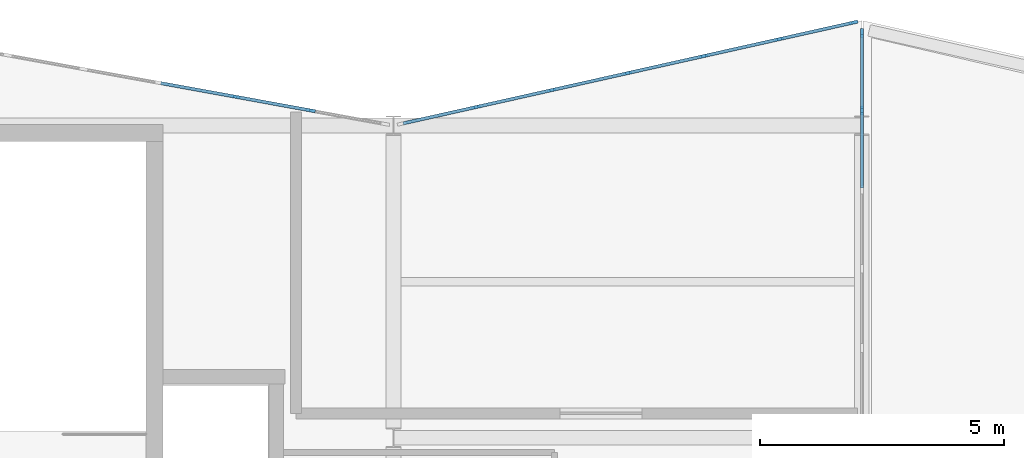
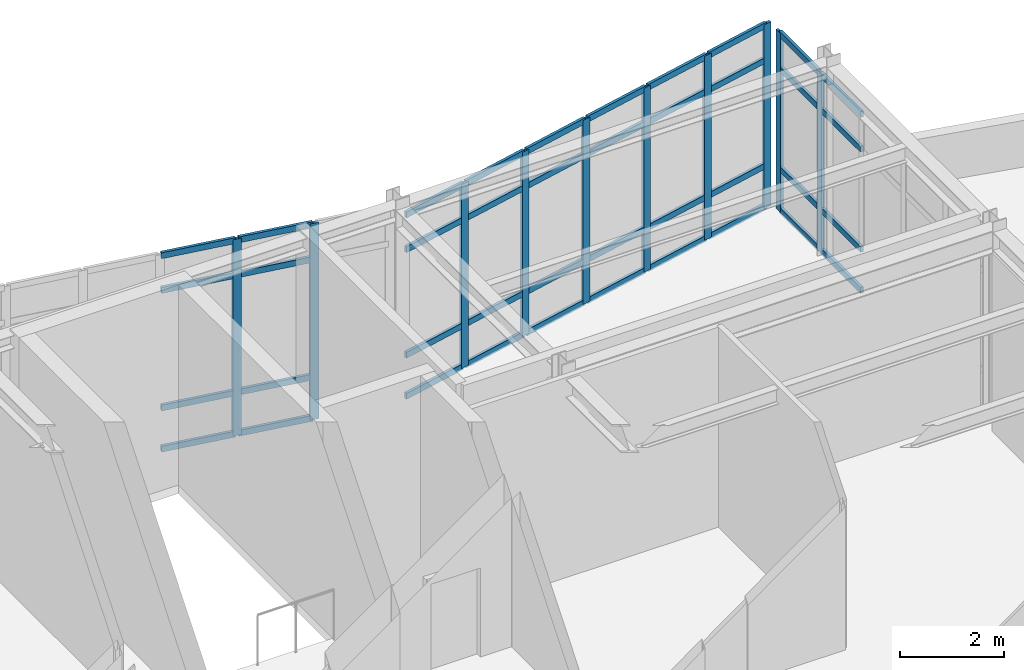
# One storey, part 15 of 28: 50 members, 3 elements without a shape of their own.
"""IFC4 building model written with IfcOpenShell, lengths in metres."""

import ifcopenshell
import ifcopenshell.guid

model = None  # the IFC model being written
_history = None  # IfcOwnerHistory: only IFC2X3 demands one
_inside = {}  # id of a spatial element -> (the spatial element, [elements in it])
_under = {}  # id of a project, library or spatial element -> (it, [spatial elements below it])
_declared = {}  # id of a project -> (the project, [libraries it declares])
_typed = {}  # id of a type object -> (the type object, [elements of that type])
_made_of = {}  # id of a material, layer set ... -> (it, [elements and type objects made of it])


def new_model(schema):
    """Start an empty IFC model of exactly this schema.

    Asked for "IFC4X3", IfcOpenShell would pick the latest addendum, in which some entities
    have other attributes; the version numbers below select the first issue.
    IFC2X3 requires an IfcOwnerHistory on every rooted entity: one is made here for all.
    """
    global model, _history
    if schema == "IFC4X3":
        model = ifcopenshell.file(schema_version=(4, 3, 0, 0))
    else:
        model = ifcopenshell.file(schema=schema)
    _inside.clear()
    _under.clear()
    _declared.clear()
    _typed.clear()
    _made_of.clear()
    _history = None
    if model.schema == "IFC2X3":
        org = make("IfcOrganization", Name="unknown")
        user = make(
            "IfcPersonAndOrganization",
            ThePerson=make("IfcPerson", FamilyName="unknown"),
            TheOrganization=org,
        )
        app = make(
            "IfcApplication",
            ApplicationDeveloper=org,
            Version="unknown",
            ApplicationFullName="unknown",
            ApplicationIdentifier="unknown",
        )
        _history = make(
            "IfcOwnerHistory",
            OwningUser=user,
            OwningApplication=app,
            ChangeAction="ADDED",
            CreationDate=0,
        )
    return model


def make(cls, **values):
    """One entity of the class cls with the attributes given. An attribute that is None is left unset."""
    return model.create_entity(
        cls, **{name: value for name, value in values.items() if value is not None}
    )


def rooted(cls, **values):
    """An entity with a GlobalId (a new one), such as an element, a storey or a relation."""
    return make(cls, GlobalId=ifcopenshell.guid.new(), OwnerHistory=_history, **values)


def si_unit(unit_type, name, prefix=None):
    """IfcSIUnit, for example si_unit("LENGTHUNIT", "METRE", prefix="MILLI")."""
    return make("IfcSIUnit", UnitType=unit_type, Prefix=prefix, Name=name)


def assignment(units):
    """IfcUnitAssignment: the units of a project."""
    return None if units is None else make("IfcUnitAssignment", Units=units)


def point(xyz):
    """IfcCartesianPoint."""
    return None if xyz is None else make("IfcCartesianPoint", Coordinates=xyz)


def direction(xyz):
    """IfcDirection."""
    return None if xyz is None else make("IfcDirection", DirectionRatios=xyz)


def frame(location, z_axis=None, x_axis=None):
    """IfcAxis2Placement3D, a coordinate frame: its origin and axes. An axis left out is left unset."""
    return make(
        "IfcAxis2Placement3D",
        Location=point(location),
        Axis=direction(z_axis),
        RefDirection=direction(x_axis),
    )


def frame_2d(location, x_axis=None):
    """IfcAxis2Placement2D, a coordinate frame in the plane: its origin and x axis."""
    return make(
        "IfcAxis2Placement2D", Location=point(location), RefDirection=direction(x_axis)
    )


def origin():
    """The frame at (0, 0, 0) with its axes left unset."""
    return frame((0.0, 0.0, 0.0))


def origin_2d():
    """The frame at (0, 0) in the plane with its x axis left unset."""
    return frame_2d((0.0, 0.0))


def place(relative_to, where):
    """IfcLocalPlacement: puts the frame where relative to a parent placement (None: the world)."""
    return make(
        "IfcLocalPlacement", PlacementRelTo=relative_to, RelativePlacement=where
    )


def context(
    kind, dimensions, precision=None, world=None, true_north=None, identifier=None
):
    """IfcGeometricRepresentationContext, for example the 3D "Model" context."""
    return make(
        "IfcGeometricRepresentationContext",
        ContextIdentifier=identifier,
        ContextType=kind,
        CoordinateSpaceDimension=dimensions,
        Precision=precision,
        WorldCoordinateSystem=world,
        TrueNorth=true_north,
    )


def subcontext(parent, identifier, kind, view, scale=None):
    """IfcGeometricRepresentationSubContext, for example "Body" below "Model"."""
    return make(
        "IfcGeometricRepresentationSubContext",
        ContextIdentifier=identifier,
        ContextType=kind,
        ParentContext=parent,
        TargetScale=scale,
        TargetView=view,
    )


def project(units=None, contexts=None):
    """IfcProject with its units and contexts."""
    return rooted(
        "IfcProject",
        Name="project",
        RepresentationContexts=contexts,
        UnitsInContext=assignment(units),
    )


def spatial(cls, under=None, at=None, **own):
    """A site, building, storey or space (cls), placed at a placement, below another one or the project."""
    s = rooted(cls, ObjectPlacement=at, **own)
    if under is not None:
        _under.setdefault(under.id(), (under, []))[1].append(s)
    return s


def profile(cls, at=None, kind="AREA", **sizes):
    """A parametric profile (cls). Its sizes go by their IFC names, for example OverallWidth=200.0."""
    return make(cls, ProfileType=kind, Position=at, **sizes)


def rectangle(**sizes):
    """IfcRectangleProfileDef."""
    return profile("IfcRectangleProfileDef", **sizes)


def extrude(swept, where, along, depth):
    """IfcExtrudedAreaSolid: the profile swept, set in the frame where, extruded along a direction by depth."""
    return make(
        "IfcExtrudedAreaSolid",
        SweptArea=swept,
        Position=where,
        ExtrudedDirection=direction(along),
        Depth=depth,
    )


def shape(context_of_items, identifier, shape_type, items):
    """IfcShapeRepresentation: the items that make up one representation, for example the "Body"."""
    return make(
        "IfcShapeRepresentation",
        ContextOfItems=context_of_items,
        RepresentationIdentifier=identifier,
        RepresentationType=shape_type,
        Items=items,
    )


def material(Name=None, Category=None):
    """IfcMaterial."""
    return make("IfcMaterial", Name=Name, Category=Category)


def layer(
    of_material, thickness, ventilated=None, Name=None, Category=None, Priority=None
):
    """IfcMaterialLayer: one layer of a wall or slab, of a material (None: an air gap)."""
    return make(
        "IfcMaterialLayer",
        Material=of_material,
        LayerThickness=thickness,
        IsVentilated=ventilated,
        Name=Name,
        Category=Category,
        Priority=Priority,
    )


def layer_set(layers, Name=None):
    """IfcMaterialLayerSet."""
    return make("IfcMaterialLayerSet", MaterialLayers=layers, LayerSetName=Name)


def material_profile(
    of_material, cross_section, Name=None, Category=None, Priority=None
):
    """IfcMaterialProfile: a cross section and its material."""
    return make(
        "IfcMaterialProfile",
        Name=Name,
        Material=of_material,
        Profile=cross_section,
        Priority=Priority,
        Category=Category,
    )


def profile_set(profiles, Name=None, composite=None):
    """IfcMaterialProfileSet."""
    return make(
        "IfcMaterialProfileSet",
        Name=Name,
        MaterialProfiles=profiles,
        CompositeProfile=composite,
    )


def made_of(thing, what):
    """Note that an element or type object is made of a material, layer set ...; save() writes the relation."""
    if what is not None:
        _made_of.setdefault(what.id(), (what, []))[1].append(thing)
    return thing


def type_object(cls, material=None, **own):
    """A type object (cls), such as IfcWallType, which elements share."""
    return made_of(rooted(cls, **own), material)


def element(
    cls,
    number,
    at=None,
    inside=None,
    cuts=None,
    type_object=None,
    material=None,
    context=None,
    identifier="Body",
    shape_type=None,
    held_by="IfcProductDefinitionShape",
    body=None,
    shapes=None,
    **own,
):
    """One element of the class cls, such as IfcWall. Its Tag is "e" and its number.

    at: its placement. inside: the storey or other place that contains it. cuts: it is an
    opening in that element (IfcRelVoidsElement). A single representation is given by context,
    identifier, shape_type and body (its items); several are given by shapes. held_by: the class
    of the entity that holds the representations. save() writes the other relations.
    """
    e = rooted(cls, Tag="e%d" % number, ObjectPlacement=at, **own)
    if body is not None:
        shapes = [shape(context, identifier, shape_type, body)]
    if shapes is not None:
        e.Representation = make(held_by, Representations=shapes)
    if inside is not None:
        _inside.setdefault(inside.id(), (inside, []))[1].append(e)
    if cuts is not None:
        rooted(
            "IfcRelVoidsElement", RelatingBuildingElement=cuts, RelatedOpeningElement=e
        )
    if type_object is not None:
        _typed.setdefault(type_object.id(), (type_object, []))[1].append(e)
    return made_of(e, material)


def aggregate(whole, parts):
    """IfcRelAggregates: a whole, such as a stair, and the parts it consists of."""
    return rooted("IfcRelAggregates", RelatingObject=whole, RelatedObjects=parts)


def save(model, path):
    """Write the relations noted so far, then the file.

    IfcRelAggregates (storeys below a building ...), IfcRelContainedInSpatialStructure (elements
    in a storey), IfcRelDefinesByType, IfcRelAssociatesMaterial and IfcRelDeclares: one each for
    every whole, place, type object, material and project.
    """
    for whole, parts in _under.values():
        aggregate(whole, parts)
    for where, things in _inside.values():
        rooted(
            "IfcRelContainedInSpatialStructure",
            RelatedElements=things,
            RelatingStructure=where,
        )
    for kind, things in _typed.values():
        rooted("IfcRelDefinesByType", RelatedObjects=things, RelatingType=kind)
    for what, things in _made_of.values():
        rooted("IfcRelAssociatesMaterial", RelatedObjects=things, RelatingMaterial=what)
    for by, libraries in _declared.values():
        rooted("IfcRelDeclares", RelatingContext=by, RelatedDefinitions=libraries)
    model.write(path)


model = new_model("IFC4")

# Units and contexts
model_context = context("Model", 3, precision=1e-05, world=origin(), true_north=direction((0.0, 1.0)))
body_context = subcontext(model_context, "Body", "Model", "MODEL_VIEW")
ifc_project = project(units=[si_unit("LENGTHUNIT", "METRE"), si_unit("AREAUNIT", "SQUARE_METRE"), si_unit("VOLUMEUNIT", "CUBIC_METRE"), si_unit("PLANEANGLEUNIT", "RADIAN"), si_unit("MASSUNIT", "GRAM", prefix="KILO")], contexts=[model_context])

# Site, building, storey
site_placement = place(None, origin())
site = spatial("IfcSite", under=ifc_project, at=site_placement, CompositionType="ELEMENT")
building_placement = place(site_placement, origin())
building = spatial("IfcBuilding", under=site, at=building_placement, Name="Nordkorset Police Headquarters", CompositionType="ELEMENT")
storey_placement = place(building_placement, frame((0.0, 0.0, 26.25)))
storey = spatial("IfcBuildingStorey", under=building, at=storey_placement, Name="L06", CompositionType="ELEMENT", Elevation=26.25)

# Curtain wall, members
ifc_material_1 = material(Name="Aluminium alloy AW-6060", Category="aluminium")
ifc_layer_1 = layer(ifc_material_1, 0.179931640625, Name="Aluminium alloy AW-6060")
ifc_layer_set_1 = layer_set([ifc_layer_1], Name="Aluminium alloy AW-6060")
curtain_wall_type_1 = type_object("IfcCurtainWallType", Name="CW_Unit_948x462", PredefinedType="USERDEFINED", material=ifc_layer_set_1)
curtain_wall_1_placement = place(storey_placement, origin())
curtain_wall_1 = element("IfcCurtainWall", 1, at=curtain_wall_1_placement, inside=storey, type_object=curtain_wall_type_1, Name="Unitised Curtain Wall L06 V2N-3", ObjectType="UNITISED CURTAIN WALL", PredefinedType="USERDEFINED")
ifc_material_2 = material(Name="Aluminium alloy AW-6060", Category="aluminium")
ifc_material_profile_1 = material_profile(ifc_material_2, rectangle(XDim=0.06494140625, YDim=0.179931640625, at=origin_2d()), Name="ALU MULL 65x180")
ifc_profile_set_1 = profile_set([ifc_material_profile_1], Name="Aluminium alloy AW-6060")
member_type_1 = type_object("IfcMemberType", Name="CW_Mullion_65x180", PredefinedType="MULLION", material=ifc_profile_set_1)
member_1_placement = place(storey_placement, frame((63.9541015625, 117.3916015625, 0.0), z_axis=(0.0, 0.0, 1.0), x_axis=(0.179335715876, 0.983787934979, 0.0)))
member_1 = element("IfcMember", 2, at=member_1_placement, type_object=member_type_1, Name="CW-98 mullion 5", PredefinedType="MULLION", context=body_context, shape_type="SweptSolid", body=[
    extrude(rectangle(XDim=0.06494140625, YDim=0.179931640625, at=origin_2d()), origin(), (0.0, 0.0, 1.0), 4.6201171875),
])
member_2_placement = place(storey_placement, frame((65.50830078125, 117.1083984375, 0.0), z_axis=(0.0, 0.0, 1.0), x_axis=(0.179335715876, 0.983787934979, 0.0)))
member_2 = element("IfcMember", 3, at=member_2_placement, type_object=member_type_1, Name="CW-98 mullion 6", PredefinedType="MULLION", context=body_context, shape_type="SweptSolid", body=[
    extrude(rectangle(XDim=0.06494140625, YDim=0.179931640625, at=origin_2d()), origin(), (0.0, 0.0, 1.0), 4.6201171875),
])

ifc_material_3 = material(Name="Aluminium alloy AW-6060", Category="aluminium")
ifc_layer_2 = layer(ifc_material_3, 0.179931640625, Name="Aluminium alloy AW-6060")
ifc_layer_set_2 = layer_set([ifc_layer_2], Name="Aluminium alloy AW-6060")
curtain_wall_type_2 = type_object("IfcCurtainWallType", Name="CW_Unit_956x434", PredefinedType="USERDEFINED", material=ifc_layer_set_2)
curtain_wall_2_placement = place(storey_placement, origin())
curtain_wall_2 = element("IfcCurtainWall", 4, at=curtain_wall_2_placement, inside=storey, type_object=curtain_wall_type_2, Name="Unitised Curtain Wall L06 V2N-4", ObjectType="UNITISED CURTAIN WALL", PredefinedType="USERDEFINED")
member_3_placement = place(storey_placement, frame((68.89111328125, 117.1787109375, 0.0), z_axis=(0.0, 0.0, 1.0), x_axis=(-0.218544020358, 0.975827090814, 0.0)))
member_3 = element("IfcMember", 5, at=member_3_placement, type_object=member_type_1, Name="CW-04 mullion 2", PredefinedType="MULLION", context=body_context, shape_type="SweptSolid", body=[
    extrude(rectangle(XDim=0.06494140625, YDim=0.179931640625, at=origin_2d()), origin(), (0.0, 0.0, 1.0), 4.3349609375),
])
member_4_placement = place(storey_placement, frame((70.445556640625, 117.52685546875, 0.0), z_axis=(0.0, 0.0, 1.0), x_axis=(-0.218544020358, 0.975827090814, 0.0)))
member_4 = element("IfcMember", 6, at=member_4_placement, type_object=member_type_1, Name="CW-04 mullion 3", PredefinedType="MULLION", context=body_context, shape_type="SweptSolid", body=[
    extrude(rectangle(XDim=0.06494140625, YDim=0.179931640625, at=origin_2d()), origin(), (0.0, 0.0, 1.0), 4.3349609375),
])
member_5_placement = place(storey_placement, frame((72.0, 117.875, 0.0), z_axis=(0.0, 0.0, 1.0), x_axis=(-0.218544020358, 0.975827090814, 0.0)))
member_5 = element("IfcMember", 7, at=member_5_placement, type_object=member_type_1, Name="CW-04 mullion 4", PredefinedType="MULLION", context=body_context, shape_type="SweptSolid", body=[
    extrude(rectangle(XDim=0.06494140625, YDim=0.179931640625, at=origin_2d()), origin(), (0.0, 0.0, 1.0), 4.3349609375),
])
member_6_placement = place(storey_placement, frame((73.554443359375, 118.22314453125, 0.0), z_axis=(0.0, 0.0, 1.0), x_axis=(-0.218544020358, 0.975827090814, 0.0)))
member_6 = element("IfcMember", 8, at=member_6_placement, type_object=member_type_1, Name="CW-04 mullion 5", PredefinedType="MULLION", context=body_context, shape_type="SweptSolid", body=[
    extrude(rectangle(XDim=0.06494140625, YDim=0.179931640625, at=origin_2d()), origin(), (0.0, 0.0, 1.0), 4.3349609375),
])
member_7_placement = place(storey_placement, frame((75.10888671875, 118.5712890625, 0.0), z_axis=(0.0, 0.0, 1.0), x_axis=(-0.218544020358, 0.975827090814, 0.0)))
member_7 = element("IfcMember", 9, at=member_7_placement, type_object=member_type_1, Name="CW-04 mullion 6", PredefinedType="MULLION", context=body_context, shape_type="SweptSolid", body=[
    extrude(rectangle(XDim=0.06494140625, YDim=0.179931640625, at=origin_2d()), origin(), (0.0, 0.0, 1.0), 4.3349609375),
])
member_8_placement = place(storey_placement, frame((76.631591796875, 118.912353515625, 0.0), z_axis=(0.0, 0.0, 1.0), x_axis=(-0.218544020358, 0.975827090814, 0.0)))
member_8 = element("IfcMember", 10, at=member_8_placement, type_object=member_type_1, Name="CW-04 mullion 7", PredefinedType="MULLION", context=body_context, shape_type="SweptSolid", body=[
    extrude(rectangle(XDim=0.06494140625, YDim=0.179931640625, at=origin_2d()), origin(), (0.0, 0.0, 1.0), 4.3349609375),
])

ifc_material_4 = material(Name="Aluminium alloy AW-6060", Category="aluminium")
ifc_layer_3 = layer(ifc_material_4, 0.179931640625, Name="Aluminium alloy AW-6060")
ifc_layer_set_3 = layer_set([ifc_layer_3], Name="Aluminium alloy AW-6060")
curtain_wall_type_3 = type_object("IfcCurtainWallType", Name="CW_Unit_811x420", PredefinedType="USERDEFINED", material=ifc_layer_set_3)
curtain_wall_3_placement = place(storey_placement, origin())
curtain_wall_3 = element("IfcCurtainWall", 11, at=curtain_wall_3_placement, inside=storey, type_object=curtain_wall_type_3, Name="Unitised Curtain Wall L06 V2E-L06B", ObjectType="UNITISED CURTAIN WALL", PredefinedType="USERDEFINED")
member_9_placement = place(storey_placement, frame((76.800048828125, 117.10791015625, 0.0), z_axis=(0.0, 0.0, 1.0), x_axis=(-1.0, 0.0, 0.0)))
member_9 = element("IfcMember", 12, at=member_9_placement, type_object=member_type_1, Name="CW-12 mullion 5", PredefinedType="MULLION", context=body_context, shape_type="SweptSolid", body=[
    extrude(rectangle(XDim=0.06494140625, YDim=0.179931640625, at=origin_2d()), origin(), (0.0, 0.0, 1.0), 4.205078125),
])
member_10_placement = place(storey_placement, frame((76.800048828125, 118.697509765625, 0.0), z_axis=(0.0, 0.0, 1.0), x_axis=(-1.0, 0.0, 0.0)))
member_10 = element("IfcMember", 13, at=member_10_placement, type_object=member_type_1, Name="CW-12 mullion 6", PredefinedType="MULLION", context=body_context, shape_type="SweptSolid", body=[
    extrude(rectangle(XDim=0.06494140625, YDim=0.179931640625, at=origin_2d()), origin(), (0.0, 0.0, 1.0), 4.205078125),
])

# Member
ifc_material_5 = material(Name="Aluminium alloy AW-6060", Category="aluminium")
ifc_material_profile_2 = material_profile(ifc_material_5, rectangle(XDim=0.06494140625, YDim=0.139892578125, at=origin_2d()), Name="ALU TRAN 65x140")
ifc_profile_set_2 = profile_set([ifc_material_profile_2], Name="Aluminium alloy AW-6060")
member_type_2 = type_object("IfcMemberType", Name="CW_Transom_65x140", PredefinedType="USERDEFINED", material=ifc_profile_set_2)
member_11_placement = place(storey_placement, frame((62.431884765625, 117.669189453125, 0.032470703125), z_axis=(0.983779529869, -0.179381817946, 0.0), x_axis=(0.179381817946, 0.983779529869, 0.0)))
member_11 = element("IfcMember", 14, at=member_11_placement, type_object=member_type_2, Name="CW-98 transom 4.1", ObjectType="TRANSOM", PredefinedType="USERDEFINED", context=body_context, shape_type="SweptSolid", body=[
    extrude(rectangle(XDim=0.06494140625, YDim=0.139892578125, at=origin_2d()), origin(), (0.0, 0.0, 1.0), 1.514892578125),
])

member_12_placement = place(storey_placement, frame((62.431884765625, 117.669189453125, 1.0), z_axis=(0.983779529869, -0.179381817946, 0.0), x_axis=(0.179381817946, 0.983779529869, 0.0)))
member_12 = element("IfcMember", 15, at=member_12_placement, type_object=member_type_2, Name="CW-98 transom 4.2", ObjectType="TRANSOM", PredefinedType="USERDEFINED", context=body_context, shape_type="SweptSolid", body=[
    extrude(rectangle(XDim=0.06494140625, YDim=0.139892578125, at=origin_2d()), origin(), (0.0, 0.0, 1.0), 1.514892578125),
])

member_13_placement = place(storey_placement, frame((62.431884765625, 117.669189453125, 3.77001953125), z_axis=(0.983779529869, -0.179381817946, 0.0), x_axis=(0.179381817946, 0.983779529869, 0.0)))
member_13 = element("IfcMember", 16, at=member_13_placement, type_object=member_type_2, Name="CW-98 transom 4.3", ObjectType="TRANSOM", PredefinedType="USERDEFINED", context=body_context, shape_type="SweptSolid", body=[
    extrude(rectangle(XDim=0.06494140625, YDim=0.139892578125, at=origin_2d()), origin(), (0.0, 0.0, 1.0), 1.514892578125),
])

member_14_placement = place(storey_placement, frame((62.431884765625, 117.669189453125, 4.58740234375), z_axis=(0.983779529869, -0.179381817946, 0.0), x_axis=(0.179381817946, 0.983779529869, 0.0)))
member_14 = element("IfcMember", 17, at=member_14_placement, type_object=member_type_2, Name="CW-98 transom 4.4", ObjectType="TRANSOM", PredefinedType="USERDEFINED", context=body_context, shape_type="SweptSolid", body=[
    extrude(rectangle(XDim=0.06494140625, YDim=0.139892578125, at=origin_2d()), origin(), (0.0, 0.0, 1.0), 1.514892578125),
])

member_15_placement = place(storey_placement, frame((63.986083984375, 117.385986328125, 0.032470703125), z_axis=(0.983779529869, -0.179381817946, 0.0), x_axis=(0.179381817946, 0.983779529869, 0.0)))
member_15 = element("IfcMember", 18, at=member_15_placement, type_object=member_type_2, Name="CW-98 transom 5.1", ObjectType="TRANSOM", PredefinedType="USERDEFINED", context=body_context, shape_type="SweptSolid", body=[
    extrude(rectangle(XDim=0.06494140625, YDim=0.139892578125, at=origin_2d()), origin(), (0.0, 0.0, 1.0), 1.514892578125),
])

member_16_placement = place(storey_placement, frame((63.986083984375, 117.385986328125, 1.0), z_axis=(0.983779529869, -0.179381817946, 0.0), x_axis=(0.179381817946, 0.983779529869, 0.0)))
member_16 = element("IfcMember", 19, at=member_16_placement, type_object=member_type_2, Name="CW-98 transom 5.2", ObjectType="TRANSOM", PredefinedType="USERDEFINED", context=body_context, shape_type="SweptSolid", body=[
    extrude(rectangle(XDim=0.06494140625, YDim=0.139892578125, at=origin_2d()), origin(), (0.0, 0.0, 1.0), 1.514892578125),
])

member_17_placement = place(storey_placement, frame((63.986083984375, 117.385986328125, 3.77001953125), z_axis=(0.983779529869, -0.179381817946, 0.0), x_axis=(0.179381817946, 0.983779529869, 0.0)))
member_17 = element("IfcMember", 20, at=member_17_placement, type_object=member_type_2, Name="CW-98 transom 5.3", ObjectType="TRANSOM", PredefinedType="USERDEFINED", context=body_context, shape_type="SweptSolid", body=[
    extrude(rectangle(XDim=0.06494140625, YDim=0.139892578125, at=origin_2d()), origin(), (0.0, 0.0, 1.0), 1.514892578125),
])

member_18_placement = place(storey_placement, frame((63.986083984375, 117.385986328125, 4.58740234375), z_axis=(0.983779529869, -0.179381817946, 0.0), x_axis=(0.179381817946, 0.983779529869, 0.0)))
member_18 = element("IfcMember", 21, at=member_18_placement, type_object=member_type_2, Name="CW-98 transom 5.4", ObjectType="TRANSOM", PredefinedType="USERDEFINED", context=body_context, shape_type="SweptSolid", body=[
    extrude(rectangle(XDim=0.06494140625, YDim=0.139892578125, at=origin_2d()), origin(), (0.0, 0.0, 1.0), 1.514892578125),
])

aggregate(curtain_wall_1, [member_1, member_2, member_11, member_12, member_13, member_14, member_15, member_16, member_17, member_18])

member_19_placement = place(storey_placement, frame((67.400146484375, 116.8447265625, 0.032470703125), z_axis=(0.975813000089, 0.218606927743, 0.0), x_axis=(-0.218606927743, 0.975813000089, 0.0)))
member_19 = element("IfcMember", 22, at=member_19_placement, type_object=member_type_2, Name="CW-04 transom 1.1", ObjectType="TRANSOM", PredefinedType="USERDEFINED", context=body_context, shape_type="SweptSolid", body=[
    extrude(rectangle(XDim=0.06494140625, YDim=0.139892578125, at=origin_2d()), origin(), (0.0, 0.0, 1.0), 1.495361328125),
])

member_20_placement = place(storey_placement, frame((67.400146484375, 116.8447265625, 1.0), z_axis=(0.975813000089, 0.218606927743, 0.0), x_axis=(-0.218606927743, 0.975813000089, 0.0)))
member_20 = element("IfcMember", 23, at=member_20_placement, type_object=member_type_2, Name="CW-04 transom 1.2", ObjectType="TRANSOM", PredefinedType="USERDEFINED", context=body_context, shape_type="SweptSolid", body=[
    extrude(rectangle(XDim=0.06494140625, YDim=0.139892578125, at=origin_2d()), origin(), (0.0, 0.0, 1.0), 1.495361328125),
])

member_21_placement = place(storey_placement, frame((67.400146484375, 116.8447265625, 3.485107421875), z_axis=(0.975813000089, 0.218606927743, 0.0), x_axis=(-0.218606927743, 0.975813000089, 0.0)))
member_21 = element("IfcMember", 24, at=member_21_placement, type_object=member_type_2, Name="CW-04 transom 1.3", ObjectType="TRANSOM", PredefinedType="USERDEFINED", context=body_context, shape_type="SweptSolid", body=[
    extrude(rectangle(XDim=0.06494140625, YDim=0.139892578125, at=origin_2d()), origin(), (0.0, 0.0, 1.0), 1.495361328125),
])

member_22_placement = place(storey_placement, frame((67.400146484375, 116.8447265625, 4.302490234375), z_axis=(0.975813000089, 0.218606927743, 0.0), x_axis=(-0.218606927743, 0.975813000089, 0.0)))
member_22 = element("IfcMember", 25, at=member_22_placement, type_object=member_type_2, Name="CW-04 transom 1.4", ObjectType="TRANSOM", PredefinedType="USERDEFINED", context=body_context, shape_type="SweptSolid", body=[
    extrude(rectangle(XDim=0.06494140625, YDim=0.139892578125, at=origin_2d()), origin(), (0.0, 0.0, 1.0), 1.495361328125),
])

member_23_placement = place(storey_placement, frame((68.9228515625, 117.185791015625, 0.032470703125), z_axis=(0.975817202869, 0.218588166616, 0.0), x_axis=(-0.218588166616, 0.975817202869, 0.0)))
member_23 = element("IfcMember", 26, at=member_23_placement, type_object=member_type_2, Name="CW-04 transom 2.1", ObjectType="TRANSOM", PredefinedType="USERDEFINED", context=body_context, shape_type="SweptSolid", body=[
    extrude(rectangle(XDim=0.06494140625, YDim=0.139892578125, at=origin_2d()), origin(), (0.0, 0.0, 1.0), 1.52783203125),
])

member_24_placement = place(storey_placement, frame((68.9228515625, 117.185791015625, 1.0), z_axis=(0.975817202869, 0.218588166616, 0.0), x_axis=(-0.218588166616, 0.975817202869, 0.0)))
member_24 = element("IfcMember", 27, at=member_24_placement, type_object=member_type_2, Name="CW-04 transom 2.2", ObjectType="TRANSOM", PredefinedType="USERDEFINED", context=body_context, shape_type="SweptSolid", body=[
    extrude(rectangle(XDim=0.06494140625, YDim=0.139892578125, at=origin_2d()), origin(), (0.0, 0.0, 1.0), 1.52783203125),
])

member_25_placement = place(storey_placement, frame((68.9228515625, 117.185791015625, 3.485107421875), z_axis=(0.975817202869, 0.218588166616, 0.0), x_axis=(-0.218588166616, 0.975817202869, 0.0)))
member_25 = element("IfcMember", 28, at=member_25_placement, type_object=member_type_2, Name="CW-04 transom 2.3", ObjectType="TRANSOM", PredefinedType="USERDEFINED", context=body_context, shape_type="SweptSolid", body=[
    extrude(rectangle(XDim=0.06494140625, YDim=0.139892578125, at=origin_2d()), origin(), (0.0, 0.0, 1.0), 1.52783203125),
])

member_26_placement = place(storey_placement, frame((68.9228515625, 117.185791015625, 4.302490234375), z_axis=(0.975817202869, 0.218588166616, 0.0), x_axis=(-0.218588166616, 0.975817202869, 0.0)))
member_26 = element("IfcMember", 29, at=member_26_placement, type_object=member_type_2, Name="CW-04 transom 2.4", ObjectType="TRANSOM", PredefinedType="USERDEFINED", context=body_context, shape_type="SweptSolid", body=[
    extrude(rectangle(XDim=0.06494140625, YDim=0.139892578125, at=origin_2d()), origin(), (0.0, 0.0, 1.0), 1.52783203125),
])

member_27_placement = place(storey_placement, frame((70.477294921875, 117.533935546875, 0.032470703125), z_axis=(0.975817202869, 0.218588166616, 0.0), x_axis=(-0.218588166616, 0.975817202869, 0.0)))
member_27 = element("IfcMember", 30, at=member_27_placement, type_object=member_type_2, Name="CW-04 transom 3.1", ObjectType="TRANSOM", PredefinedType="USERDEFINED", context=body_context, shape_type="SweptSolid", body=[
    extrude(rectangle(XDim=0.06494140625, YDim=0.139892578125, at=origin_2d()), origin(), (0.0, 0.0, 1.0), 1.52783203125),
])

member_28_placement = place(storey_placement, frame((70.477294921875, 117.533935546875, 1.0), z_axis=(0.975817202869, 0.218588166616, 0.0), x_axis=(-0.218588166616, 0.975817202869, 0.0)))
member_28 = element("IfcMember", 31, at=member_28_placement, type_object=member_type_2, Name="CW-04 transom 3.2", ObjectType="TRANSOM", PredefinedType="USERDEFINED", context=body_context, shape_type="SweptSolid", body=[
    extrude(rectangle(XDim=0.06494140625, YDim=0.139892578125, at=origin_2d()), origin(), (0.0, 0.0, 1.0), 1.52783203125),
])

member_29_placement = place(storey_placement, frame((70.477294921875, 117.533935546875, 3.485107421875), z_axis=(0.975817202869, 0.218588166616, 0.0), x_axis=(-0.218588166616, 0.975817202869, 0.0)))
member_29 = element("IfcMember", 32, at=member_29_placement, type_object=member_type_2, Name="CW-04 transom 3.3", ObjectType="TRANSOM", PredefinedType="USERDEFINED", context=body_context, shape_type="SweptSolid", body=[
    extrude(rectangle(XDim=0.06494140625, YDim=0.139892578125, at=origin_2d()), origin(), (0.0, 0.0, 1.0), 1.52783203125),
])

member_30_placement = place(storey_placement, frame((70.477294921875, 117.533935546875, 4.302490234375), z_axis=(0.975817202869, 0.218588166616, 0.0), x_axis=(-0.218588166616, 0.975817202869, 0.0)))
member_30 = element("IfcMember", 33, at=member_30_placement, type_object=member_type_2, Name="CW-04 transom 3.4", ObjectType="TRANSOM", PredefinedType="USERDEFINED", context=body_context, shape_type="SweptSolid", body=[
    extrude(rectangle(XDim=0.06494140625, YDim=0.139892578125, at=origin_2d()), origin(), (0.0, 0.0, 1.0), 1.52783203125),
])

member_31_placement = place(storey_placement, frame((72.03173828125, 117.882080078125, 0.032470703125), z_axis=(0.975817202869, 0.218588166616, 0.0), x_axis=(-0.218588166616, 0.975817202869, 0.0)))
member_31 = element("IfcMember", 34, at=member_31_placement, type_object=member_type_2, Name="CW-04 transom 4.1", ObjectType="TRANSOM", PredefinedType="USERDEFINED", context=body_context, shape_type="SweptSolid", body=[
    extrude(rectangle(XDim=0.06494140625, YDim=0.139892578125, at=origin_2d()), origin(), (0.0, 0.0, 1.0), 1.52783203125),
])

member_32_placement = place(storey_placement, frame((72.03173828125, 117.882080078125, 1.0), z_axis=(0.975817202869, 0.218588166616, 0.0), x_axis=(-0.218588166616, 0.975817202869, 0.0)))
member_32 = element("IfcMember", 35, at=member_32_placement, type_object=member_type_2, Name="CW-04 transom 4.2", ObjectType="TRANSOM", PredefinedType="USERDEFINED", context=body_context, shape_type="SweptSolid", body=[
    extrude(rectangle(XDim=0.06494140625, YDim=0.139892578125, at=origin_2d()), origin(), (0.0, 0.0, 1.0), 1.52783203125),
])

member_33_placement = place(storey_placement, frame((72.03173828125, 117.882080078125, 3.485107421875), z_axis=(0.975817202869, 0.218588166616, 0.0), x_axis=(-0.218588166616, 0.975817202869, 0.0)))
member_33 = element("IfcMember", 36, at=member_33_placement, type_object=member_type_2, Name="CW-04 transom 4.3", ObjectType="TRANSOM", PredefinedType="USERDEFINED", context=body_context, shape_type="SweptSolid", body=[
    extrude(rectangle(XDim=0.06494140625, YDim=0.139892578125, at=origin_2d()), origin(), (0.0, 0.0, 1.0), 1.52783203125),
])

member_34_placement = place(storey_placement, frame((72.03173828125, 117.882080078125, 4.302490234375), z_axis=(0.975817202869, 0.218588166616, 0.0), x_axis=(-0.218588166616, 0.975817202869, 0.0)))
member_34 = element("IfcMember", 37, at=member_34_placement, type_object=member_type_2, Name="CW-04 transom 4.4", ObjectType="TRANSOM", PredefinedType="USERDEFINED", context=body_context, shape_type="SweptSolid", body=[
    extrude(rectangle(XDim=0.06494140625, YDim=0.139892578125, at=origin_2d()), origin(), (0.0, 0.0, 1.0), 1.52783203125),
])

member_35_placement = place(storey_placement, frame((73.586181640625, 118.230224609375, 0.032470703125), z_axis=(0.975817202869, 0.218588166616, 0.0), x_axis=(-0.218588166616, 0.975817202869, 0.0)))
member_35 = element("IfcMember", 38, at=member_35_placement, type_object=member_type_2, Name="CW-04 transom 5.1", ObjectType="TRANSOM", PredefinedType="USERDEFINED", context=body_context, shape_type="SweptSolid", body=[
    extrude(rectangle(XDim=0.06494140625, YDim=0.139892578125, at=origin_2d()), origin(), (0.0, 0.0, 1.0), 1.52783203125),
])

member_36_placement = place(storey_placement, frame((73.586181640625, 118.230224609375, 1.0), z_axis=(0.975817202869, 0.218588166616, 0.0), x_axis=(-0.218588166616, 0.975817202869, 0.0)))
member_36 = element("IfcMember", 39, at=member_36_placement, type_object=member_type_2, Name="CW-04 transom 5.2", ObjectType="TRANSOM", PredefinedType="USERDEFINED", context=body_context, shape_type="SweptSolid", body=[
    extrude(rectangle(XDim=0.06494140625, YDim=0.139892578125, at=origin_2d()), origin(), (0.0, 0.0, 1.0), 1.52783203125),
])

member_37_placement = place(storey_placement, frame((73.586181640625, 118.230224609375, 3.485107421875), z_axis=(0.975817202869, 0.218588166616, 0.0), x_axis=(-0.218588166616, 0.975817202869, 0.0)))
member_37 = element("IfcMember", 40, at=member_37_placement, type_object=member_type_2, Name="CW-04 transom 5.3", ObjectType="TRANSOM", PredefinedType="USERDEFINED", context=body_context, shape_type="SweptSolid", body=[
    extrude(rectangle(XDim=0.06494140625, YDim=0.139892578125, at=origin_2d()), origin(), (0.0, 0.0, 1.0), 1.52783203125),
])

member_38_placement = place(storey_placement, frame((73.586181640625, 118.230224609375, 4.302490234375), z_axis=(0.975817202869, 0.218588166616, 0.0), x_axis=(-0.218588166616, 0.975817202869, 0.0)))
member_38 = element("IfcMember", 41, at=member_38_placement, type_object=member_type_2, Name="CW-04 transom 5.4", ObjectType="TRANSOM", PredefinedType="USERDEFINED", context=body_context, shape_type="SweptSolid", body=[
    extrude(rectangle(XDim=0.06494140625, YDim=0.139892578125, at=origin_2d()), origin(), (0.0, 0.0, 1.0), 1.52783203125),
])

member_39_placement = place(storey_placement, frame((75.140625, 118.578369140625, 0.032470703125), z_axis=(0.975813000089, 0.218606927743, 0.0), x_axis=(-0.218606927743, 0.975813000089, 0.0)))
member_39 = element("IfcMember", 42, at=member_39_placement, type_object=member_type_2, Name="CW-04 transom 6.1", ObjectType="TRANSOM", PredefinedType="USERDEFINED", context=body_context, shape_type="SweptSolid", body=[
    extrude(rectangle(XDim=0.06494140625, YDim=0.139892578125, at=origin_2d()), origin(), (0.0, 0.0, 1.0), 1.495361328125),
])

member_40_placement = place(storey_placement, frame((75.140625, 118.578369140625, 1.0), z_axis=(0.975813000089, 0.218606927743, 0.0), x_axis=(-0.218606927743, 0.975813000089, 0.0)))
member_40 = element("IfcMember", 43, at=member_40_placement, type_object=member_type_2, Name="CW-04 transom 6.2", ObjectType="TRANSOM", PredefinedType="USERDEFINED", context=body_context, shape_type="SweptSolid", body=[
    extrude(rectangle(XDim=0.06494140625, YDim=0.139892578125, at=origin_2d()), origin(), (0.0, 0.0, 1.0), 1.495361328125),
])

member_41_placement = place(storey_placement, frame((75.140625, 118.578369140625, 3.485107421875), z_axis=(0.975813000089, 0.218606927743, 0.0), x_axis=(-0.218606927743, 0.975813000089, 0.0)))
member_41 = element("IfcMember", 44, at=member_41_placement, type_object=member_type_2, Name="CW-04 transom 6.3", ObjectType="TRANSOM", PredefinedType="USERDEFINED", context=body_context, shape_type="SweptSolid", body=[
    extrude(rectangle(XDim=0.06494140625, YDim=0.139892578125, at=origin_2d()), origin(), (0.0, 0.0, 1.0), 1.495361328125),
])

member_42_placement = place(storey_placement, frame((75.140625, 118.578369140625, 4.302490234375), z_axis=(0.975813000089, 0.218606927743, 0.0), x_axis=(-0.218606927743, 0.975813000089, 0.0)))
member_42 = element("IfcMember", 45, at=member_42_placement, type_object=member_type_2, Name="CW-04 transom 6.4", ObjectType="TRANSOM", PredefinedType="USERDEFINED", context=body_context, shape_type="SweptSolid", body=[
    extrude(rectangle(XDim=0.06494140625, YDim=0.139892578125, at=origin_2d()), origin(), (0.0, 0.0, 1.0), 1.495361328125),
])

aggregate(curtain_wall_2, [member_3, member_4, member_5, member_6, member_7, member_8, member_19, member_20, member_21, member_22, member_23, member_24, member_25, member_26, member_27, member_28, member_29, member_30, member_31, member_32, member_33, member_34, member_35, member_36, member_37, member_38, member_39, member_40, member_41, member_42])

member_43_placement = place(storey_placement, frame((76.800048828125, 115.5185546875, 0.032470703125), z_axis=(0.0, 1.0, 0.0), x_axis=(-1.0, 0.0, 0.0)))
member_43 = element("IfcMember", 46, at=member_43_placement, type_object=member_type_2, Name="CW-12 transom 4.1", ObjectType="TRANSOM", PredefinedType="USERDEFINED", context=body_context, shape_type="SweptSolid", body=[
    extrude(rectangle(XDim=0.06494140625, YDim=0.139892578125, at=origin_2d()), origin(), (0.0, 0.0, 1.0), 1.556884765625),
])

member_44_placement = place(storey_placement, frame((76.800048828125, 115.5185546875, 1.0), z_axis=(0.0, 1.0, 0.0), x_axis=(-1.0, 0.0, 0.0)))
member_44 = element("IfcMember", 47, at=member_44_placement, type_object=member_type_2, Name="CW-12 transom 4.2", ObjectType="TRANSOM", PredefinedType="USERDEFINED", context=body_context, shape_type="SweptSolid", body=[
    extrude(rectangle(XDim=0.06494140625, YDim=0.139892578125, at=origin_2d()), origin(), (0.0, 0.0, 1.0), 1.556884765625),
])

member_45_placement = place(storey_placement, frame((76.800048828125, 115.5185546875, 3.35498046875), z_axis=(0.0, 1.0, 0.0), x_axis=(-1.0, 0.0, 0.0)))
member_45 = element("IfcMember", 48, at=member_45_placement, type_object=member_type_2, Name="CW-12 transom 4.3", ObjectType="TRANSOM", PredefinedType="USERDEFINED", context=body_context, shape_type="SweptSolid", body=[
    extrude(rectangle(XDim=0.06494140625, YDim=0.139892578125, at=origin_2d()), origin(), (0.0, 0.0, 1.0), 1.556884765625),
])

member_46_placement = place(storey_placement, frame((76.800048828125, 115.5185546875, 4.172607421875), z_axis=(0.0, 1.0, 0.0), x_axis=(-1.0, 0.0, 0.0)))
member_46 = element("IfcMember", 49, at=member_46_placement, type_object=member_type_2, Name="CW-12 transom 4.4", ObjectType="TRANSOM", PredefinedType="USERDEFINED", context=body_context, shape_type="SweptSolid", body=[
    extrude(rectangle(XDim=0.06494140625, YDim=0.139892578125, at=origin_2d()), origin(), (0.0, 0.0, 1.0), 1.556884765625),
])

member_47_placement = place(storey_placement, frame((76.800048828125, 117.140380859375, 0.032470703125), z_axis=(0.0, 1.0, 0.0), x_axis=(-1.0, 0.0, 0.0)))
member_47 = element("IfcMember", 50, at=member_47_placement, type_object=member_type_2, Name="CW-12 transom 5.1", ObjectType="TRANSOM", PredefinedType="USERDEFINED", context=body_context, shape_type="SweptSolid", body=[
    extrude(rectangle(XDim=0.06494140625, YDim=0.139892578125, at=origin_2d()), origin(), (0.0, 0.0, 1.0), 1.524658203125),
])

member_48_placement = place(storey_placement, frame((76.800048828125, 117.140380859375, 1.0), z_axis=(0.0, 1.0, 0.0), x_axis=(-1.0, 0.0, 0.0)))
member_48 = element("IfcMember", 51, at=member_48_placement, type_object=member_type_2, Name="CW-12 transom 5.2", ObjectType="TRANSOM", PredefinedType="USERDEFINED", context=body_context, shape_type="SweptSolid", body=[
    extrude(rectangle(XDim=0.06494140625, YDim=0.139892578125, at=origin_2d()), origin(), (0.0, 0.0, 1.0), 1.524658203125),
])

member_49_placement = place(storey_placement, frame((76.800048828125, 117.140380859375, 3.35498046875), z_axis=(0.0, 1.0, 0.0), x_axis=(-1.0, 0.0, 0.0)))
member_49 = element("IfcMember", 52, at=member_49_placement, type_object=member_type_2, Name="CW-12 transom 5.3", ObjectType="TRANSOM", PredefinedType="USERDEFINED", context=body_context, shape_type="SweptSolid", body=[
    extrude(rectangle(XDim=0.06494140625, YDim=0.139892578125, at=origin_2d()), origin(), (0.0, 0.0, 1.0), 1.524658203125),
])

member_50_placement = place(storey_placement, frame((76.800048828125, 117.140380859375, 4.172607421875), z_axis=(0.0, 1.0, 0.0), x_axis=(-1.0, 0.0, 0.0)))
member_50 = element("IfcMember", 53, at=member_50_placement, type_object=member_type_2, Name="CW-12 transom 5.4", ObjectType="TRANSOM", PredefinedType="USERDEFINED", context=body_context, shape_type="SweptSolid", body=[
    extrude(rectangle(XDim=0.06494140625, YDim=0.139892578125, at=origin_2d()), origin(), (0.0, 0.0, 1.0), 1.524658203125),
])

aggregate(curtain_wall_3, [member_9, member_10, member_43, member_44, member_45, member_46, member_47, member_48, member_49, member_50])

save(model, "model.ifc")
